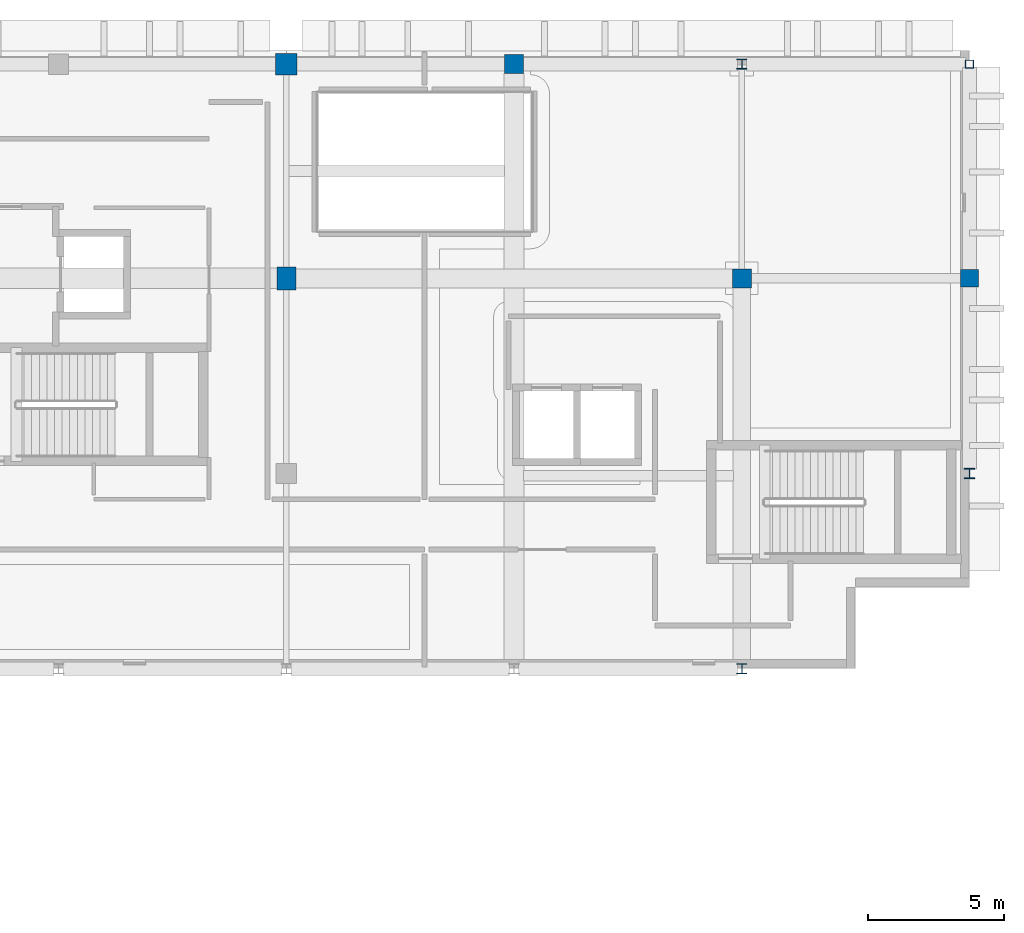
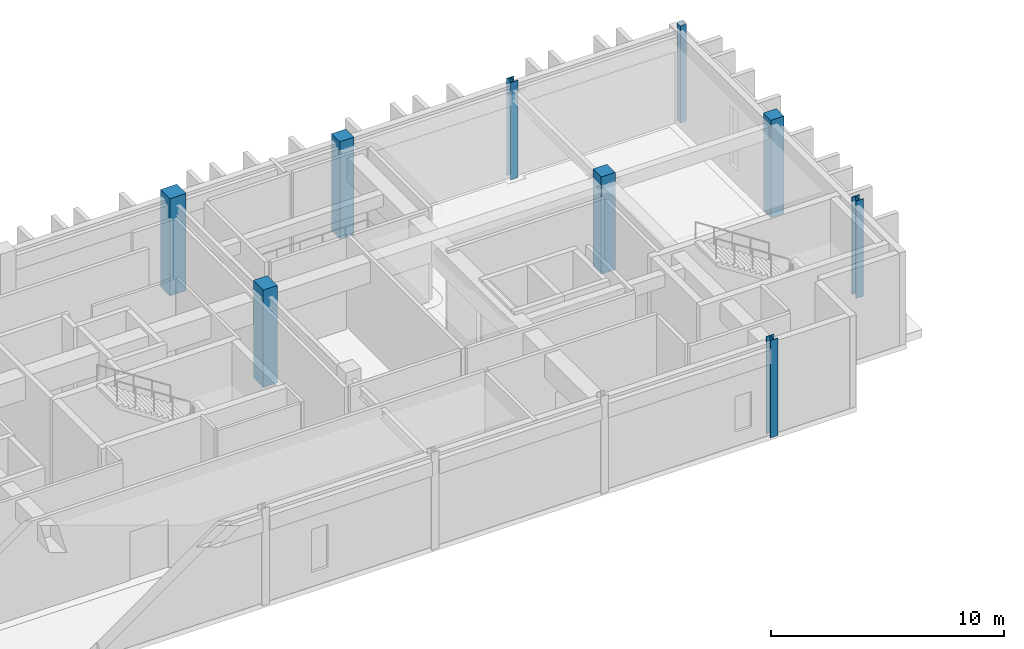
# One storey, part 4 of 34: 9 columns.
"""IFC4 building model written with IfcOpenShell, lengths in metres."""

from ifc_helpers import new_model, si_unit, direction, frame, origin, origin_2d, place, context, subcontext, project, spatial, rectangle, hollow_rectangle, i_section, extrude, material, material_profile, profile_set, type_object, element, save


model = new_model("IFC4")

# Units and contexts
model_context = context("Model", 3, precision=1e-05, world=origin(), true_north=direction((0.0, 1.0)))
body_context = subcontext(model_context, "Body", "Model", "MODEL_VIEW")
ifc_project = project(units=[si_unit("LENGTHUNIT", "METRE"), si_unit("AREAUNIT", "SQUARE_METRE"), si_unit("VOLUMEUNIT", "CUBIC_METRE"), si_unit("PLANEANGLEUNIT", "RADIAN"), si_unit("MASSUNIT", "GRAM", prefix="KILO")], contexts=[model_context])

# Site, building, storey
site_placement = place(None, origin())
site = spatial("IfcSite", under=ifc_project, at=site_placement, CompositionType="ELEMENT")
building_placement = place(site_placement, origin())
building = spatial("IfcBuilding", under=site, at=building_placement, Name="Quendrovan Civic Courthouse", CompositionType="ELEMENT")
storey_placement = place(building_placement, frame((0.0, 0.0, 25.5)))
storey = spatial("IfcBuildingStorey", under=building, at=storey_placement, Name="L06", CompositionType="ELEMENT", Elevation=25.5)

# Columns
ifc_material_1 = material(Name="Concrete C40/50", Category="concrete")
ifc_material_profile_1 = material_profile(ifc_material_1, rectangle(XDim=0.699951171875, YDim=0.85009765625, at=origin_2d()), Name="RC-COL-700x850")
ifc_profile_set_1 = profile_set([ifc_material_profile_1], Name="Concrete C40/50")
column_type_1 = type_object("IfcColumnType", Name="COL-RC-700x850", PredefinedType="COLUMN", material=ifc_profile_set_1)
column_1_placement = place(storey_placement, frame((67.199951171875, 102.0, 0.0), z_axis=(0.0, 0.0, 1.0), x_axis=(1.0, 0.0, 0.0)))
element("IfcColumn", 1, at=column_1_placement, inside=storey, type_object=column_type_1, Name="L06 Column 9-P", PredefinedType="COLUMN", context=body_context, shape_type="SweptSolid", body=[
    extrude(rectangle(XDim=0.699951171875, YDim=0.85009765625, at=origin_2d()), origin(), (0.0, 0.0, 1.0), 5.10009765625),
])
ifc_material_2 = material(Name="Concrete C45/55", Category="concrete")
ifc_material_profile_2 = material_profile(ifc_material_2, rectangle(XDim=0.64990234375, YDim=0.64990234375, at=origin_2d()), Name="RC-COL-650x650")
ifc_profile_set_2 = profile_set([ifc_material_profile_2], Name="Concrete C45/55")
column_type_2 = type_object("IfcColumnType", Name="COL-RC650", PredefinedType="COLUMN", material=ifc_profile_set_2)
column_2_placement = place(storey_placement, frame((92.39990234375, 102.0, 0.0), z_axis=(0.0, 0.0, 1.0), x_axis=(1.0, 0.0, 0.0)))
element("IfcColumn", 2, at=column_2_placement, inside=storey, type_object=column_type_2, Name="L06 Column 12-P", PredefinedType="COLUMN", context=body_context, shape_type="SweptSolid", body=[
    extrude(rectangle(XDim=0.64990234375, YDim=0.64990234375, at=origin_2d()), origin(), (0.0, 0.0, 1.0), 5.10009765625),
])
ifc_material_profile_3 = material_profile(ifc_material_2, rectangle(XDim=0.699951171875, YDim=0.699951171875, at=origin_2d()), Name="RC-COL-700x700")
ifc_profile_set_3 = profile_set([ifc_material_profile_3], Name="Concrete C45/55")
column_type_3 = type_object("IfcColumnType", Name="COL-RC700", PredefinedType="COLUMN", material=ifc_profile_set_3)
for number, where, z_axis, x_axis, name in (
    (3, (75.60009765625, 109.89990234375, 0.0), (0.0, 0.0, 1.0), (1.0, 0.0, 0.0), "L06 Column 10-Q"),
    (4, (84.0, 102.0, 0.0), (0.0, 0.0, 1.0), (1.0, 0.0, 0.0), "L06 Column 11-P"),
):
    element("IfcColumn", number, at=place(storey_placement, frame(where, z_axis=z_axis, x_axis=x_axis)), inside=storey, type_object=column_type_3, Name=name, PredefinedType="COLUMN", context=body_context, shape_type="SweptSolid", body=[
        extrude(rectangle(XDim=0.699951171875, YDim=0.699951171875, at=origin_2d()), origin(), (0.0, 0.0, 1.0), 5.10009765625),
    ])
ifc_material_profile_4 = material_profile(ifc_material_2, rectangle(XDim=0.800048828125, YDim=0.800048828125, at=origin_2d()), Name="RC-COL-800x800")
ifc_profile_set_4 = profile_set([ifc_material_profile_4], Name="Concrete C45/55")
column_type_4 = type_object("IfcColumnType", Name="COL-RC800", PredefinedType="COLUMN", material=ifc_profile_set_4)
column_3_placement = place(storey_placement, frame((67.199951171875, 109.89990234375, 0.0), z_axis=(0.0, 0.0, 1.0), x_axis=(1.0, 0.0, 0.0)))
element("IfcColumn", 5, at=column_3_placement, inside=storey, type_object=column_type_4, Name="L06 Column 9-Q", PredefinedType="COLUMN", context=body_context, shape_type="SweptSolid", body=[
    extrude(rectangle(XDim=0.800048828125, YDim=0.800048828125, at=origin_2d()), origin(), (0.0, 0.0, 1.0), 5.10009765625),
])
ifc_material_3 = material(Name="Steel ASTM A500 Grade C", Category="steel")
ifc_material_profile_5 = material_profile(ifc_material_3, hollow_rectangle(XDim=0.300048828125, YDim=0.300048828125, WallThickness=0.011962890625, at=origin_2d()), Name="HSS300x300x12")
ifc_profile_set_5 = profile_set([ifc_material_profile_5], Name="Steel ASTM A500 Grade C")
column_type_5 = type_object("IfcColumnType", Name="COL-STL-HSS300S", PredefinedType="COLUMN", material=ifc_profile_set_5)
column_4_placement = place(storey_placement, frame((92.39990234375, 109.89990234375, 0.0), z_axis=(0.0, 0.0, 1.0), x_axis=(1.0, 0.0, 0.0)))
element("IfcColumn", 6, at=column_4_placement, inside=storey, type_object=column_type_5, Name="L06 Column 12-Q", PredefinedType="COLUMN", context=body_context, shape_type="SweptSolid", body=[
    extrude(hollow_rectangle(XDim=0.300048828125, YDim=0.300048828125, WallThickness=0.011962890625, at=origin_2d()), origin(), (0.0, 0.0, 1.0), 5.10009765625),
])
ifc_material_4 = material(Name="Steel ASTM A992 Grade 50", Category="steel")
ifc_material_profile_6 = material_profile(ifc_material_4, i_section(OverallWidth=0.3740234375, OverallDepth=0.3720703125, WebThickness=0.016357421875, FlangeThickness=0.026123046875, at=origin_2d()), Name="W14X132")
ifc_profile_set_6 = profile_set([ifc_material_profile_6], Name="Steel ASTM A992 Grade 50")
column_type_6 = type_object("IfcColumnType", Name="COL-STL-W14X132", PredefinedType="COLUMN", material=ifc_profile_set_6)
for number, where, z_axis, x_axis, name in (
    (7, (84.0, 87.60009765625, 0.0), (0.0, 0.0, 1.0), (1.0, 0.0, 0.0), "L06 Column 11-M"),
    (8, (84.0, 109.89990234375, 0.0), (0.0, 0.0, 1.0), (1.0, 0.0, 0.0), "L06 Column 11-Q"),
    (9, (92.39990234375, 94.800048828125, 0.0), (0.0, 0.0, 1.0), (1.0, 0.0, 0.0), "L06 Column 12-N"),
):
    element("IfcColumn", number, at=place(storey_placement, frame(where, z_axis=z_axis, x_axis=x_axis)), inside=storey, type_object=column_type_6, Name=name, PredefinedType="COLUMN", context=body_context, shape_type="SweptSolid", body=[
        extrude(i_section(OverallWidth=0.3740234375, OverallDepth=0.3720703125, WebThickness=0.016357421875, FlangeThickness=0.026123046875, at=origin_2d()), origin(), (0.0, 0.0, 1.0), 5.10009765625),
    ])

save(model, "model.ifc")
